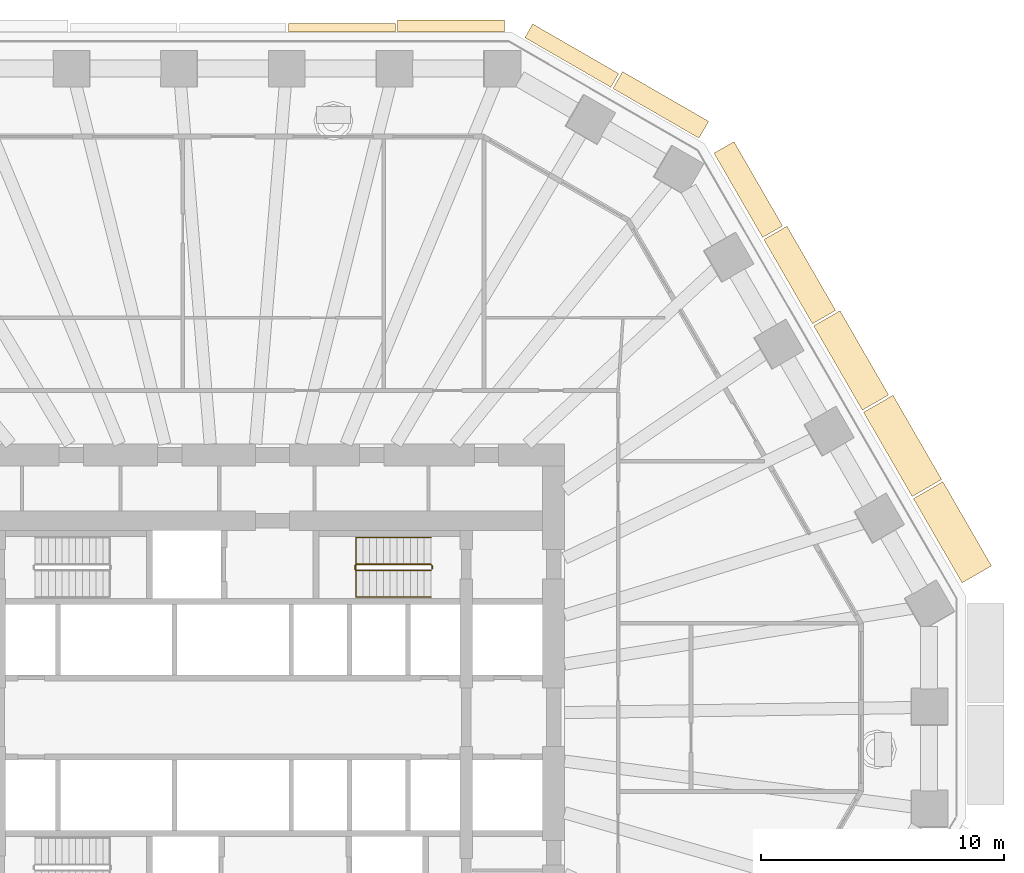
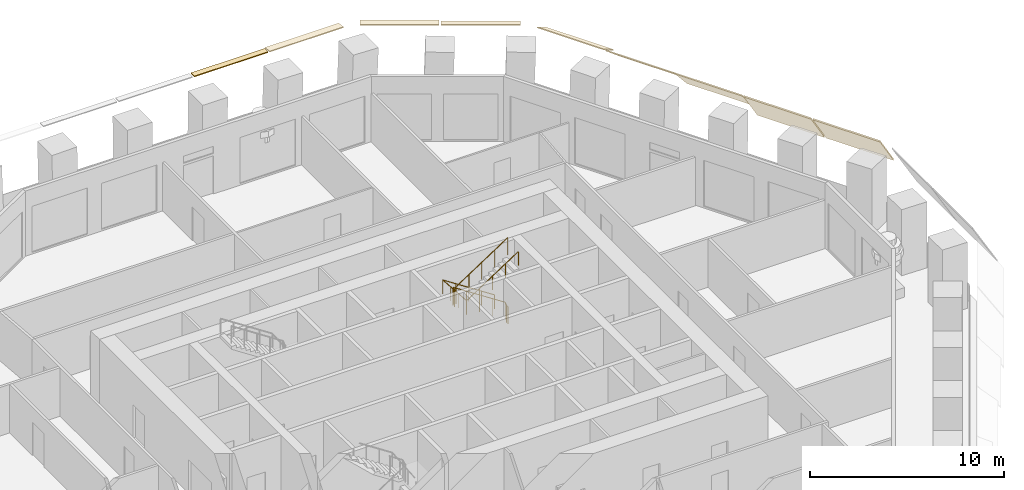
# One storey, part 11 of 13: 9 coverings, 2 railings.
"""IFC4 building model written with IfcOpenShell, lengths in metres."""

from ifc_helpers import new_model, si_unit, direction, frame, origin, origin_2d, place, context, subcontext, project, spatial, polyline, circle, outline, extrude, material, layer, layer_set, type_object, element, save


model = new_model("IFC4")

# Units and contexts
model_context = context("Model", 3, precision=1e-05, world=origin(), true_north=direction((0.0, 1.0)))
body_context = subcontext(model_context, "Body", "Model", "MODEL_VIEW")
ifc_project = project(units=[si_unit("LENGTHUNIT", "METRE"), si_unit("AREAUNIT", "SQUARE_METRE"), si_unit("VOLUMEUNIT", "CUBIC_METRE"), si_unit("PLANEANGLEUNIT", "RADIAN"), si_unit("MASSUNIT", "GRAM", prefix="KILO")], contexts=[model_context])

# Site, building, storey
site_placement = place(None, origin())
site = spatial("IfcSite", under=ifc_project, at=site_placement, CompositionType="ELEMENT")
building_placement = place(site_placement, origin())
building = spatial("IfcBuilding", under=site, at=building_placement, Name="Frailejon Research Tower", CompositionType="ELEMENT")
storey_placement = place(building_placement, frame((0.0, 0.0, 27.800048828125)))
storey = spatial("IfcBuildingStorey", under=building, at=storey_placement, Name="L06", CompositionType="ELEMENT", Elevation=27.800048828125)

# Coverings
ifc_material_1 = material(Name="Precast concrete C50/60", Category="concrete")
ifc_layer_1 = layer(ifc_material_1, 0.06005859375)
ifc_layer_set_1 = layer_set([ifc_layer_1], Name="Brim blade depth 1100")
covering_type_1 = type_object("IfcCoveringType", Name="Brim blade depth 1100", PredefinedType="CLADDING", material=ifc_layer_set_1)
covering_1_placement = place(storey_placement, frame((21.84765625, 19.664794921875, 4.25), z_axis=(0.499993824204, -0.866028969353, 0.0), x_axis=(0.866028969353, 0.499993824204, 0.0)))
element("IfcCovering", 1, at=covering_1_placement, inside=storey, type_object=covering_type_1, Name="Brim blade L06", PredefinedType="CLADDING", context=body_context, shape_type="SweptSolid", body=[
    extrude(outline(polyline([(0.0, -0.078369140625), (1.10009765625, -1.001220703125), (1.10009765625, -0.923095703125), (0.0, 0.0), (0.0, -0.078369140625)])), origin(), (0.0, 0.0, 1.0), 4.00439453125),
])
ifc_material_2 = material(Name="Precast concrete C50/60", Category="concrete")
ifc_layer_2 = layer(ifc_material_2, 0.06005859375)
ifc_layer_set_2 = layer_set([ifc_layer_2], Name="Brim blade depth 1250")
covering_type_2 = type_object("IfcCoveringType", Name="Brim blade depth 1250", PredefinedType="CLADDING", material=ifc_layer_set_2)
covering_2_placement = place(storey_placement, frame((23.89990234375, 16.1103515625, 4.25), z_axis=(0.50000437419, -0.86602287833, 0.0), x_axis=(0.86602287833, 0.50000437419, 0.0)))
element("IfcCovering", 2, at=covering_2_placement, inside=storey, type_object=covering_type_2, Name="Brim blade L06", PredefinedType="CLADDING", context=body_context, shape_type="SweptSolid", body=[
    extrude(outline(polyline([(0.0, -0.0888671875), (1.25, -1.452880859375), (1.25, -1.364013671875), (0.0, 0.0), (0.0, -0.0888671875)])), origin(), (0.0, 0.0, 1.0), 4.004150390625),
])
ifc_material_3 = material(Name="Precast concrete C50/60", Category="concrete")
ifc_layer_3 = layer(ifc_material_3, 0.06005859375)
ifc_layer_set_3 = layer_set([ifc_layer_3], Name="Brim blade depth 1400")
covering_type_3 = type_object("IfcCoveringType", Name="Brim blade depth 1400", PredefinedType="CLADDING", material=ifc_layer_set_3)
covering_3_placement = place(storey_placement, frame((28.00390625, 9.001708984375, 4.25), z_axis=(0.50000437419, -0.86602287833, 0.0), x_axis=(0.86602287833, 0.50000437419, 0.0)))
element("IfcCovering", 3, at=covering_3_placement, inside=storey, type_object=covering_type_3, Name="Brim blade L06", PredefinedType="CLADDING", context=body_context, shape_type="SweptSolid", body=[
    extrude(outline(polyline([(0.0, -0.1044921875), (1.39990234375, -2.10400390625), (1.39990234375, -1.99951171875), (0.0, 0.0), (0.0, -0.1044921875)])), origin(), (0.0, 0.0, 1.0), 4.004150390625),
])
covering_4_placement = place(storey_placement, frame((25.951904296875, 12.55615234375, 4.25), z_axis=(0.499993824204, -0.866028969353, 0.0), x_axis=(0.866028969353, 0.499993824204, 0.0)))
element("IfcCovering", 4, at=covering_4_placement, inside=storey, type_object=covering_type_3, Name="Brim blade L06", PredefinedType="CLADDING", context=body_context, shape_type="SweptSolid", body=[
    extrude(outline(polyline([(0.0, -0.1044921875), (1.39990234375, -2.10400390625), (1.39990234375, -1.99951171875), (0.0, 0.0), (0.0, -0.1044921875)])), origin(), (0.0, 0.0, 1.0), 4.00439453125),
])
ifc_material_4 = material(Name="Precast concrete C50/60", Category="concrete")
ifc_layer_4 = layer(ifc_material_4, 0.06005859375)
ifc_layer_set_4 = layer_set([ifc_layer_4], Name="Brim blade depth 350")
covering_type_4 = type_object("IfcCoveringType", Name="Brim blade depth 350", PredefinedType="CLADDING", material=ifc_layer_set_4)
covering_5_placement = place(storey_placement, frame((2.293701171875, 28.199951171875, 4.25), z_axis=(1.0, 0.0, 0.0), x_axis=(0.0, 1.0, 0.0)))
element("IfcCovering", 5, at=covering_5_placement, inside=storey, type_object=covering_type_4, Name="Brim blade L06", PredefinedType="CLADDING", context=body_context, shape_type="SweptSolid", body=[
    extrude(outline(polyline([(0.0, -0.06005859375), (0.35009765625, -0.06005859375), (0.35009765625, 0.0), (0.0, 0.0), (0.0, -0.06005859375)])), origin(), (0.0, 0.0, 1.0), 4.387451171875),
])
ifc_material_5 = material(Name="Precast concrete C50/60", Category="concrete")
ifc_layer_5 = layer(ifc_material_5, 0.06005859375)
ifc_layer_set_5 = layer_set([ifc_layer_5], Name="Brim blade depth 500")
covering_type_5 = type_object("IfcCoveringType", Name="Brim blade depth 500", PredefinedType="CLADDING", material=ifc_layer_set_5)
covering_6_placement = place(storey_placement, frame((6.781005859375, 28.199951171875, 4.25), z_axis=(1.0, 0.0, 0.0), x_axis=(0.0, 1.0, 0.0)))
element("IfcCovering", 6, at=covering_6_placement, inside=storey, type_object=covering_type_5, Name="Brim blade L06", PredefinedType="CLADDING", context=body_context, shape_type="SweptSolid", body=[
    extrude(outline(polyline([(0.0, -0.060546875), (0.5, -0.130859375), (0.5, -0.0703125), (0.0, 0.0), (0.0, -0.060546875)])), origin(), (0.0, 0.0, 1.0), 4.387451171875),
])
ifc_material_6 = material(Name="Precast concrete C50/60", Category="concrete")
ifc_layer_6 = layer(ifc_material_6, 0.06005859375)
ifc_layer_set_6 = layer_set([ifc_layer_6], Name="Brim blade depth 650")
covering_type_6 = type_object("IfcCoveringType", Name="Brim blade depth 650", PredefinedType="CLADDING", material=ifc_layer_set_6)
covering_7_placement = place(storey_placement, frame((12.01171875, 27.97412109375, 4.25), z_axis=(0.866027315287, -0.499996689166, 0.0), x_axis=(0.499996689166, 0.866027315287, 0.0)))
element("IfcCovering", 7, at=covering_7_placement, inside=storey, type_object=covering_type_6, Name="Brim blade L06", PredefinedType="CLADDING", context=body_context, shape_type="SweptSolid", body=[
    extrude(outline(polyline([(0.0, -0.0625), (0.64990234375, -0.248779296875), (0.64990234375, -0.186279296875), (0.0, 0.0), (0.0, -0.0625)])), origin(), (0.0, 0.0, 1.0), 4.087646484375),
])
ifc_material_7 = material(Name="Precast concrete C50/60", Category="concrete")
ifc_layer_7 = layer(ifc_material_7, 0.06005859375)
ifc_layer_set_7 = layer_set([ifc_layer_7], Name="Brim blade depth 800")
covering_type_7 = type_object("IfcCoveringType", Name="Brim blade depth 800", PredefinedType="CLADDING", material=ifc_layer_set_7)
covering_8_placement = place(storey_placement, frame((15.638427734375, 25.880126953125, 4.25), z_axis=(0.866021344981, -0.500007029989, 0.0), x_axis=(0.500007029989, 0.866021344981, 0.0)))
element("IfcCovering", 8, at=covering_8_placement, inside=storey, type_object=covering_type_7, Name="Brim blade L06", PredefinedType="CLADDING", context=body_context, shape_type="SweptSolid", body=[
    extrude(outline(polyline([(0.0, -0.065673828125), (0.800048828125, -0.421875), (0.800048828125, -0.356201171875), (0.0, 0.0), (0.0, -0.065673828125)])), origin(), (0.0, 0.0, 1.0), 4.08740234375),
])
ifc_material_8 = material(Name="Precast concrete C50/60", Category="concrete")
ifc_layer_8 = layer(ifc_material_8, 0.06005859375)
ifc_layer_set_8 = layer_set([ifc_layer_8], Name="Brim blade depth 950")
covering_type_8 = type_object("IfcCoveringType", Name="Brim blade depth 950", PredefinedType="CLADDING", material=ifc_layer_set_8)
covering_9_placement = place(storey_placement, frame((19.795654296875, 23.218994140625, 4.25), z_axis=(0.50000437419, -0.86602287833, 0.0), x_axis=(0.86602287833, 0.50000437419, 0.0)))
element("IfcCovering", 9, at=covering_9_placement, inside=storey, type_object=covering_type_8, Name="Brim blade L06", PredefinedType="CLADDING", context=body_context, shape_type="SweptSolid", body=[
    extrude(outline(polyline([(0.0, -0.07080078125), (0.949951171875, -0.664306640625), (0.949951171875, -0.593505859375), (0.0, 0.0), (0.0, -0.07080078125)])), origin(), (0.0, 0.0, 1.0), 4.004150390625),
])

# Railings
ifc_material_9 = material(Name="Stainless steel", Category="steel")
railing_type_1 = type_object("IfcRailingType", Name="Stair guard 1100", PredefinedType="GUARDRAIL", material=ifc_material_9)
railing_1_placement = place(storey_placement, frame((8.199951171875, 6.10009765625, 0.0)))
element("IfcRailing", 10, at=railing_1_placement, inside=storey, type_object=railing_type_1, Name="L06 ST3 stair guard 1", PredefinedType="GUARDRAIL", context=body_context, shape_type="SweptSolid", body=[
    extrude(circle(Radius=0.02392578125, at=origin_2d()), frame((0.0, 0.0, 1.076171875), z_axis=(0.0, 1.0, 0.0), x_axis=(-1.0, 0.0, 0.0)), (0.0, 0.0, 1.0), 0.14990234375),
    extrude(circle(Radius=0.02392578125, at=origin_2d()), frame((0.0, 0.14990234375, 1.076171875), z_axis=(-0.254653276557, 0.254653276557, 0.932900539971), x_axis=(-0.707106781187, -0.707106781187, 0.0)), (0.0, 0.0, 1.0), 0.196533203125),
    extrude(circle(Radius=0.02392578125, at=origin_2d()), frame((-0.050048828125, 0.199951171875, 1.25927734375), z_axis=(-0.836613101238, 0.0, 0.547794230379), x_axis=(0.0, -1.0, 0.0)), (0.0, 0.0, 1.0), 3.681396484375),
    extrude(circle(Radius=0.02392578125, at=origin_2d()), frame((-3.1298828125, 0.199951171875, 3.27587890625), z_axis=(-0.707106781187, -0.707106781187, 0.0), x_axis=(0.707106781187, -0.707106781187, 0.0)), (0.0, 0.0, 1.0), 0.07080078125),
    extrude(circle(Radius=0.02392578125, at=origin_2d()), frame((-3.179931640625, 0.14990234375, 3.27587890625), z_axis=(0.0, -1.0, 0.0), x_axis=(1.0, 0.0, 0.0)), (0.0, 0.0, 1.0), 0.14990234375),
    extrude(circle(Radius=0.02392578125, at=origin_2d()), frame((-3.179931640625, 0.0, 3.27587890625), z_axis=(0.254653276557, -0.254653276557, 0.932900539971), x_axis=(0.707106781187, 0.707106781187, 0.0)), (0.0, 0.0, 1.0), 0.196533203125),
    extrude(circle(Radius=0.02392578125, at=origin_2d()), frame((-3.1298828125, -0.050048828125, 3.45947265625), z_axis=(0.836613101238, 0.0, 0.547794230379), x_axis=(0.0, 1.0, 0.0)), (0.0, 0.0, 1.0), 3.681396484375),
    extrude(circle(Radius=0.02099609375, at=origin_2d()), origin(), (0.0, 0.0, 1.0), 1.052001953125),
    extrude(circle(Radius=0.02099609375, at=origin_2d()), frame((0.0, 0.14990234375, 0.0)), (0.0, 0.0, 1.0), 1.052001953125),
    extrude(circle(Radius=0.02099609375, at=origin_2d()), frame((-0.050048828125, 0.199951171875, 0.183349609375)), (0.0, 0.0, 1.0), 1.052001953125),
    extrude(circle(Radius=0.02099609375, at=origin_2d()), frame((-0.820068359375, 0.199951171875, 0.6875)), (0.0, 0.0, 1.0), 1.052001953125),
    extrude(circle(Radius=0.02099609375, at=origin_2d()), frame((-1.58984375, 0.199951171875, 1.191650390625)), (0.0, 0.0, 1.0), 1.052001953125),
    extrude(circle(Radius=0.02099609375, at=origin_2d()), frame((-2.35986328125, 0.199951171875, 1.69580078125)), (0.0, 0.0, 1.0), 1.052001953125),
    extrude(circle(Radius=0.02099609375, at=origin_2d()), frame((-3.1298828125, 0.199951171875, 2.199951171875)), (0.0, 0.0, 1.0), 1.052001953125),
    extrude(circle(Radius=0.02099609375, at=origin_2d()), frame((-3.179931640625, 0.14990234375, 2.199951171875)), (0.0, 0.0, 1.0), 1.052001953125),
    extrude(circle(Radius=0.02099609375, at=origin_2d()), frame((-3.179931640625, 0.0, 2.199951171875)), (0.0, 0.0, 1.0), 1.052001953125),
    extrude(circle(Radius=0.02099609375, at=origin_2d()), frame((-3.1298828125, -0.050048828125, 2.38330078125)), (0.0, 0.0, 1.0), 1.052001953125),
    extrude(circle(Radius=0.02099609375, at=origin_2d()), frame((-2.35986328125, -0.050048828125, 2.887451171875)), (0.0, 0.0, 1.0), 1.052001953125),
    extrude(circle(Radius=0.02099609375, at=origin_2d()), frame((-1.58984375, -0.050048828125, 3.3916015625)), (0.0, 0.0, 1.0), 1.052001953125),
    extrude(circle(Radius=0.02099609375, at=origin_2d()), frame((-0.820068359375, -0.050048828125, 3.895751953125)), (0.0, 0.0, 1.0), 1.052001953125),
    extrude(circle(Radius=0.02099609375, at=origin_2d()), frame((-0.050048828125, -0.050048828125, 4.39990234375)), (0.0, 0.0, 1.0), 1.052001953125),
])
ifc_material_10 = material(Name="Stainless steel", Category="steel")
railing_type_2 = type_object("IfcRailingType", Name="Stair handrail 900", PredefinedType="HANDRAIL", material=ifc_material_10)
railing_2_placement = place(storey_placement, frame((8.14990234375, 7.39990234375, 0.183349609375)))
element("IfcRailing", 11, at=railing_2_placement, inside=storey, type_object=railing_type_2, Name="L06 ST3 stair handrail 1", PredefinedType="HANDRAIL", context=body_context, shape_type="SweptSolid", body=[
    extrude(circle(Radius=0.02392578125, at=origin_2d()), frame((0.0, 0.0, 0.8759765625), z_axis=(-0.836613101238, 0.0, 0.547794230379), x_axis=(0.0, -1.0, 0.0)), (0.0, 0.0, 1.0), 3.681396484375),
    extrude(circle(Radius=0.02392578125, at=origin_2d()), frame((-3.079833984375, 0.0, 2.892578125), z_axis=(0.0, -0.99721134034, 0.074629368868), x_axis=(1.0, 0.0, 0.0)), (0.0, 0.0, 1.0), 2.456787109375),
    extrude(circle(Radius=0.02392578125, at=origin_2d()), frame((-3.079833984375, -2.449951171875, 3.07568359375), z_axis=(0.836613101238, 0.0, 0.547794230379), x_axis=(0.0, 1.0, 0.0)), (0.0, 0.0, 1.0), 3.681396484375),
    extrude(circle(Radius=0.02099609375, at=origin_2d()), origin(), (0.0, 0.0, 1.0), 0.851806640625),
    extrude(circle(Radius=0.02099609375, at=origin_2d()), frame((-0.77001953125, 0.0, 0.504150390625)), (0.0, 0.0, 1.0), 0.851806640625),
    extrude(circle(Radius=0.02099609375, at=origin_2d()), frame((-1.5400390625, 0.0, 1.00830078125)), (0.0, 0.0, 1.0), 0.851806640625),
    extrude(circle(Radius=0.02099609375, at=origin_2d()), frame((-2.309814453125, 0.0, 1.512451171875)), (0.0, 0.0, 1.0), 0.851806640625),
    extrude(circle(Radius=0.02099609375, at=origin_2d()), frame((-3.079833984375, 0.0, 2.0166015625)), (0.0, 0.0, 1.0), 0.851806640625),
    extrude(circle(Radius=0.02099609375, at=origin_2d()), frame((-3.079833984375, -0.816650390625, 2.07763671875)), (0.0, 0.0, 1.0), 0.851806640625),
    extrude(circle(Radius=0.02099609375, at=origin_2d()), frame((-3.079833984375, -1.63330078125, 2.138916015625)), (0.0, 0.0, 1.0), 0.851806640625),
    extrude(circle(Radius=0.02099609375, at=origin_2d()), frame((-3.079833984375, -2.449951171875, 2.199951171875)), (0.0, 0.0, 1.0), 0.851806640625),
    extrude(circle(Radius=0.02099609375, at=origin_2d()), frame((-2.309814453125, -2.449951171875, 2.7041015625)), (0.0, 0.0, 1.0), 0.851806640625),
    extrude(circle(Radius=0.02099609375, at=origin_2d()), frame((-1.5400390625, -2.449951171875, 3.208251953125)), (0.0, 0.0, 1.0), 0.851806640625),
    extrude(circle(Radius=0.02099609375, at=origin_2d()), frame((-0.77001953125, -2.449951171875, 3.71240234375)), (0.0, 0.0, 1.0), 0.851806640625),
    extrude(circle(Radius=0.02099609375, at=origin_2d()), frame((0.0, -2.449951171875, 4.216552734375)), (0.0, 0.0, 1.0), 0.851806640625),
])

save(model, "model.ifc")
